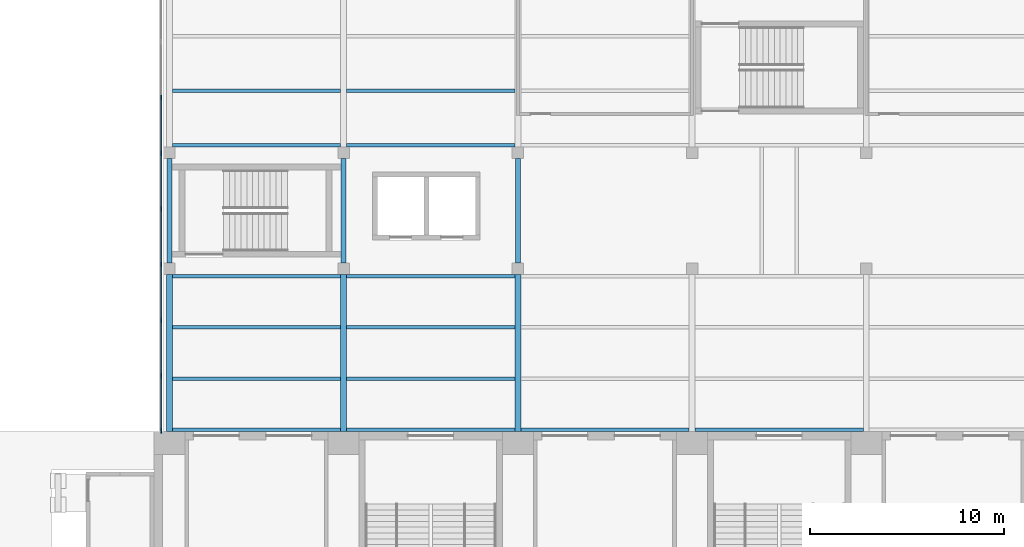
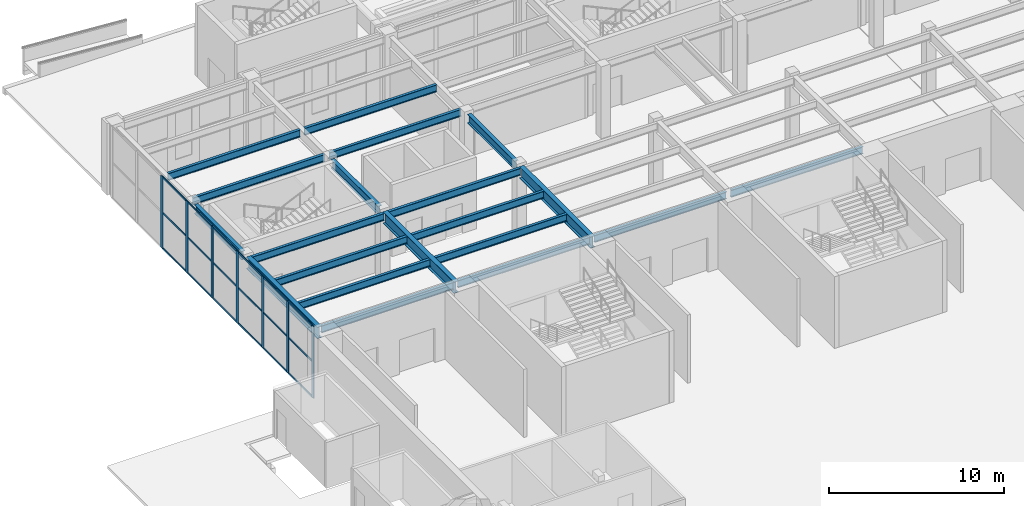
# One storey, part 16 of 77: 25 members, 20 beams, 1 element without a shape of its own.
"""IFC4 building model written with IfcOpenShell, lengths in metres."""

from ifc_helpers import new_model, si_unit, direction, frame, origin, origin_2d, place, context, subcontext, project, spatial, rectangle, i_section, extrude, material, material_profile, profile_set, type_object, element, aggregate, save


model = new_model("IFC4")

# Units and contexts
model_context = context("Model", 3, precision=1e-05, world=origin(), true_north=direction((0.0, 1.0)))
body_context = subcontext(model_context, "Body", "Model", "MODEL_VIEW")
ifc_project = project(units=[si_unit("LENGTHUNIT", "METRE"), si_unit("AREAUNIT", "SQUARE_METRE"), si_unit("VOLUMEUNIT", "CUBIC_METRE"), si_unit("PLANEANGLEUNIT", "RADIAN"), si_unit("MASSUNIT", "GRAM", prefix="KILO")], contexts=[model_context])

# Site, building, storey
site_placement = place(None, origin())
site = spatial("IfcSite", under=ifc_project, at=site_placement, CompositionType="ELEMENT")
building_placement = place(site_placement, origin())
building = spatial("IfcBuilding", under=site, at=building_placement, Name="Aravalli Gate Trade Fair Centre", CompositionType="ELEMENT")
storey_placement = place(building_placement, origin())
storey = spatial("IfcBuildingStorey", under=building, at=storey_placement, Name="L00", CompositionType="ELEMENT", Elevation=0.0)

# Curtain wall, members
ifc_material_1 = material(Name="Aluminium and glass", Category="aluminium")
curtain_wall_type = type_object("IfcCurtainWallType", Name="Curtain wall 3000 module, tall", PredefinedType="NOTDEFINED", material=ifc_material_1)
curtain_wall_placement = place(storey_placement, origin())
curtain_wall = element("IfcCurtainWall", 1, at=curtain_wall_placement, inside=storey, type_object=curtain_wall_type, Name="Curtain wall west end L00", PredefinedType="NOTDEFINED")
ifc_material_2 = material(Name="Aluminium", Category="aluminium")
ifc_material_profile_1 = material_profile(ifc_material_2, rectangle(XDim=0.06005859375, YDim=0.25, at=origin_2d()), Name="Concourse curtain wall mullion 60 x 250")
ifc_profile_set_1 = profile_set([ifc_material_profile_1], Name="Aluminium")
member_type_1 = type_object("IfcMemberType", Name="Concourse curtain wall mullion 60 x 250", PredefinedType="MULLION", material=ifc_profile_set_1)
member_1_placement = place(storey_placement, frame((5.574951171875, 109.6298828125, 0.0), z_axis=(0.0, 0.0, 1.0), x_axis=(-1.0, 0.0, 0.0)))
member_1 = element("IfcMember", 2, at=member_1_placement, type_object=member_type_1, Name="CW3 mullion 1", PredefinedType="MULLION", context=body_context, shape_type="SweptSolid", body=[
    extrude(rectangle(XDim=0.06005859375, YDim=0.25, at=origin_2d()), origin(), (0.0, 0.0, 1.0), 5.0),
])
member_2_placement = place(storey_placement, frame((5.574951171875, 112.47509765625, 0.0), z_axis=(0.0, 0.0, 1.0), x_axis=(-1.0, 0.0, 0.0)))
member_2 = element("IfcMember", 3, at=member_2_placement, type_object=member_type_1, Name="CW3 mullion 2", PredefinedType="MULLION", context=body_context, shape_type="SweptSolid", body=[
    extrude(rectangle(XDim=0.06005859375, YDim=0.25, at=origin_2d()), origin(), (0.0, 0.0, 1.0), 5.0),
])
member_3_placement = place(storey_placement, frame((5.574951171875, 115.35009765625, 0.0), z_axis=(0.0, 0.0, 1.0), x_axis=(-1.0, 0.0, 0.0)))
member_3 = element("IfcMember", 4, at=member_3_placement, type_object=member_type_1, Name="CW3 mullion 3", PredefinedType="MULLION", context=body_context, shape_type="SweptSolid", body=[
    extrude(rectangle(XDim=0.06005859375, YDim=0.25, at=origin_2d()), origin(), (0.0, 0.0, 1.0), 5.0),
])
member_4_placement = place(storey_placement, frame((5.574951171875, 118.22509765625, 0.0), z_axis=(0.0, 0.0, 1.0), x_axis=(-1.0, 0.0, 0.0)))
member_4 = element("IfcMember", 5, at=member_4_placement, type_object=member_type_1, Name="CW3 mullion 4", PredefinedType="MULLION", context=body_context, shape_type="SweptSolid", body=[
    extrude(rectangle(XDim=0.06005859375, YDim=0.25, at=origin_2d()), origin(), (0.0, 0.0, 1.0), 5.0),
])
member_5_placement = place(storey_placement, frame((5.574951171875, 121.10009765625, 0.0), z_axis=(0.0, 0.0, 1.0), x_axis=(-1.0, 0.0, 0.0)))
member_5 = element("IfcMember", 6, at=member_5_placement, type_object=member_type_1, Name="CW3 mullion 5", PredefinedType="MULLION", context=body_context, shape_type="SweptSolid", body=[
    extrude(rectangle(XDim=0.06005859375, YDim=0.25, at=origin_2d()), origin(), (0.0, 0.0, 1.0), 5.0),
])
member_6_placement = place(storey_placement, frame((5.574951171875, 123.97509765625, 0.0), z_axis=(0.0, 0.0, 1.0), x_axis=(-1.0, 0.0, 0.0)))
member_6 = element("IfcMember", 7, at=member_6_placement, type_object=member_type_1, Name="CW3 mullion 6", PredefinedType="MULLION", context=body_context, shape_type="SweptSolid", body=[
    extrude(rectangle(XDim=0.06005859375, YDim=0.25, at=origin_2d()), origin(), (0.0, 0.0, 1.0), 5.0),
])
member_7_placement = place(storey_placement, frame((5.574951171875, 126.85009765625, 0.0), z_axis=(0.0, 0.0, 1.0), x_axis=(-1.0, 0.0, 0.0)))
member_7 = element("IfcMember", 8, at=member_7_placement, type_object=member_type_1, Name="CW3 mullion 7", PredefinedType="MULLION", context=body_context, shape_type="SweptSolid", body=[
    extrude(rectangle(XDim=0.06005859375, YDim=0.25, at=origin_2d()), origin(), (0.0, 0.0, 1.0), 5.0),
])
ifc_material_profile_2 = material_profile(ifc_material_2, rectangle(XDim=0.06005859375, YDim=0.1201171875, at=origin_2d()), Name="Concourse curtain wall transom 60 x 120")
ifc_profile_set_2 = profile_set([ifc_material_profile_2], Name="Aluminium")
member_type_2 = type_object("IfcMemberType", Name="Concourse curtain wall transom 60 x 120", PredefinedType="USERDEFINED", material=ifc_profile_set_2)
member_8_placement = place(storey_placement, frame((5.574951171875, 109.659912109375, 0.030029296875), z_axis=(0.0, 1.0, 0.0), x_axis=(-1.0, 0.0, 0.0)))
member_8 = element("IfcMember", 9, at=member_8_placement, type_object=member_type_2, Name="CW3 transom 1.1", ObjectType="TRANSOM", PredefinedType="USERDEFINED", context=body_context, shape_type="SweptSolid", body=[
    extrude(rectangle(XDim=0.06005859375, YDim=0.1201171875, at=origin_2d()), origin(), (0.0, 0.0, 1.0), 2.78515625),
])
member_9_placement = place(storey_placement, frame((5.574951171875, 109.659912109375, 2.5), z_axis=(0.0, 1.0, 0.0), x_axis=(-1.0, 0.0, 0.0)))
member_9 = element("IfcMember", 10, at=member_9_placement, type_object=member_type_2, Name="CW3 transom 1.2", ObjectType="TRANSOM", PredefinedType="USERDEFINED", context=body_context, shape_type="SweptSolid", body=[
    extrude(rectangle(XDim=0.06005859375, YDim=0.1201171875, at=origin_2d()), origin(), (0.0, 0.0, 1.0), 2.78515625),
])
member_10_placement = place(storey_placement, frame((5.574951171875, 109.659912109375, 4.969970703125), z_axis=(0.0, 1.0, 0.0), x_axis=(-1.0, 0.0, 0.0)))
member_10 = element("IfcMember", 11, at=member_10_placement, type_object=member_type_2, Name="CW3 transom 1.3", ObjectType="TRANSOM", PredefinedType="USERDEFINED", context=body_context, shape_type="SweptSolid", body=[
    extrude(rectangle(XDim=0.06005859375, YDim=0.1201171875, at=origin_2d()), origin(), (0.0, 0.0, 1.0), 2.78515625),
])
member_11_placement = place(storey_placement, frame((5.574951171875, 112.5048828125, 0.030029296875), z_axis=(0.0, 1.0, 0.0), x_axis=(-1.0, 0.0, 0.0)))
member_11 = element("IfcMember", 12, at=member_11_placement, type_object=member_type_2, Name="CW3 transom 2.1", ObjectType="TRANSOM", PredefinedType="USERDEFINED", context=body_context, shape_type="SweptSolid", body=[
    extrude(rectangle(XDim=0.06005859375, YDim=0.1201171875, at=origin_2d()), origin(), (0.0, 0.0, 1.0), 2.815185546875),
])
member_12_placement = place(storey_placement, frame((5.574951171875, 112.5048828125, 2.5), z_axis=(0.0, 1.0, 0.0), x_axis=(-1.0, 0.0, 0.0)))
member_12 = element("IfcMember", 13, at=member_12_placement, type_object=member_type_2, Name="CW3 transom 2.2", ObjectType="TRANSOM", PredefinedType="USERDEFINED", context=body_context, shape_type="SweptSolid", body=[
    extrude(rectangle(XDim=0.06005859375, YDim=0.1201171875, at=origin_2d()), origin(), (0.0, 0.0, 1.0), 2.815185546875),
])
member_13_placement = place(storey_placement, frame((5.574951171875, 112.5048828125, 4.969970703125), z_axis=(0.0, 1.0, 0.0), x_axis=(-1.0, 0.0, 0.0)))
member_13 = element("IfcMember", 14, at=member_13_placement, type_object=member_type_2, Name="CW3 transom 2.3", ObjectType="TRANSOM", PredefinedType="USERDEFINED", context=body_context, shape_type="SweptSolid", body=[
    extrude(rectangle(XDim=0.06005859375, YDim=0.1201171875, at=origin_2d()), origin(), (0.0, 0.0, 1.0), 2.815185546875),
])
member_14_placement = place(storey_placement, frame((5.574951171875, 115.3798828125, 0.030029296875), z_axis=(0.0, 1.0, 0.0), x_axis=(-1.0, 0.0, 0.0)))
member_14 = element("IfcMember", 15, at=member_14_placement, type_object=member_type_2, Name="CW3 transom 3.1", ObjectType="TRANSOM", PredefinedType="USERDEFINED", context=body_context, shape_type="SweptSolid", body=[
    extrude(rectangle(XDim=0.06005859375, YDim=0.1201171875, at=origin_2d()), origin(), (0.0, 0.0, 1.0), 2.815185546875),
])
member_15_placement = place(storey_placement, frame((5.574951171875, 115.3798828125, 2.5), z_axis=(0.0, 1.0, 0.0), x_axis=(-1.0, 0.0, 0.0)))
member_15 = element("IfcMember", 16, at=member_15_placement, type_object=member_type_2, Name="CW3 transom 3.2", ObjectType="TRANSOM", PredefinedType="USERDEFINED", context=body_context, shape_type="SweptSolid", body=[
    extrude(rectangle(XDim=0.06005859375, YDim=0.1201171875, at=origin_2d()), origin(), (0.0, 0.0, 1.0), 2.815185546875),
])
member_16_placement = place(storey_placement, frame((5.574951171875, 115.3798828125, 4.969970703125), z_axis=(0.0, 1.0, 0.0), x_axis=(-1.0, 0.0, 0.0)))
member_16 = element("IfcMember", 17, at=member_16_placement, type_object=member_type_2, Name="CW3 transom 3.3", ObjectType="TRANSOM", PredefinedType="USERDEFINED", context=body_context, shape_type="SweptSolid", body=[
    extrude(rectangle(XDim=0.06005859375, YDim=0.1201171875, at=origin_2d()), origin(), (0.0, 0.0, 1.0), 2.815185546875),
])
member_17_placement = place(storey_placement, frame((5.574951171875, 118.2548828125, 0.030029296875), z_axis=(0.0, 1.0, 0.0), x_axis=(-1.0, 0.0, 0.0)))
member_17 = element("IfcMember", 18, at=member_17_placement, type_object=member_type_2, Name="CW3 transom 4.1", ObjectType="TRANSOM", PredefinedType="USERDEFINED", context=body_context, shape_type="SweptSolid", body=[
    extrude(rectangle(XDim=0.06005859375, YDim=0.1201171875, at=origin_2d()), origin(), (0.0, 0.0, 1.0), 2.815185546875),
])
member_18_placement = place(storey_placement, frame((5.574951171875, 118.2548828125, 2.5), z_axis=(0.0, 1.0, 0.0), x_axis=(-1.0, 0.0, 0.0)))
member_18 = element("IfcMember", 19, at=member_18_placement, type_object=member_type_2, Name="CW3 transom 4.2", ObjectType="TRANSOM", PredefinedType="USERDEFINED", context=body_context, shape_type="SweptSolid", body=[
    extrude(rectangle(XDim=0.06005859375, YDim=0.1201171875, at=origin_2d()), origin(), (0.0, 0.0, 1.0), 2.815185546875),
])
member_19_placement = place(storey_placement, frame((5.574951171875, 118.2548828125, 4.969970703125), z_axis=(0.0, 1.0, 0.0), x_axis=(-1.0, 0.0, 0.0)))
member_19 = element("IfcMember", 20, at=member_19_placement, type_object=member_type_2, Name="CW3 transom 4.3", ObjectType="TRANSOM", PredefinedType="USERDEFINED", context=body_context, shape_type="SweptSolid", body=[
    extrude(rectangle(XDim=0.06005859375, YDim=0.1201171875, at=origin_2d()), origin(), (0.0, 0.0, 1.0), 2.815185546875),
])
member_20_placement = place(storey_placement, frame((5.574951171875, 121.1298828125, 0.030029296875), z_axis=(0.0, 1.0, 0.0), x_axis=(-1.0, 0.0, 0.0)))
member_20 = element("IfcMember", 21, at=member_20_placement, type_object=member_type_2, Name="CW3 transom 5.1", ObjectType="TRANSOM", PredefinedType="USERDEFINED", context=body_context, shape_type="SweptSolid", body=[
    extrude(rectangle(XDim=0.06005859375, YDim=0.1201171875, at=origin_2d()), origin(), (0.0, 0.0, 1.0), 2.815185546875),
])
member_21_placement = place(storey_placement, frame((5.574951171875, 121.1298828125, 2.5), z_axis=(0.0, 1.0, 0.0), x_axis=(-1.0, 0.0, 0.0)))
member_21 = element("IfcMember", 22, at=member_21_placement, type_object=member_type_2, Name="CW3 transom 5.2", ObjectType="TRANSOM", PredefinedType="USERDEFINED", context=body_context, shape_type="SweptSolid", body=[
    extrude(rectangle(XDim=0.06005859375, YDim=0.1201171875, at=origin_2d()), origin(), (0.0, 0.0, 1.0), 2.815185546875),
])
member_22_placement = place(storey_placement, frame((5.574951171875, 121.1298828125, 4.969970703125), z_axis=(0.0, 1.0, 0.0), x_axis=(-1.0, 0.0, 0.0)))
member_22 = element("IfcMember", 23, at=member_22_placement, type_object=member_type_2, Name="CW3 transom 5.3", ObjectType="TRANSOM", PredefinedType="USERDEFINED", context=body_context, shape_type="SweptSolid", body=[
    extrude(rectangle(XDim=0.06005859375, YDim=0.1201171875, at=origin_2d()), origin(), (0.0, 0.0, 1.0), 2.815185546875),
])
member_23_placement = place(storey_placement, frame((5.574951171875, 124.0048828125, 0.030029296875), z_axis=(0.0, 1.0, 0.0), x_axis=(-1.0, 0.0, 0.0)))
member_23 = element("IfcMember", 24, at=member_23_placement, type_object=member_type_2, Name="CW3 transom 6.1", ObjectType="TRANSOM", PredefinedType="USERDEFINED", context=body_context, shape_type="SweptSolid", body=[
    extrude(rectangle(XDim=0.06005859375, YDim=0.1201171875, at=origin_2d()), origin(), (0.0, 0.0, 1.0), 2.815185546875),
])
member_24_placement = place(storey_placement, frame((5.574951171875, 124.0048828125, 2.5), z_axis=(0.0, 1.0, 0.0), x_axis=(-1.0, 0.0, 0.0)))
member_24 = element("IfcMember", 25, at=member_24_placement, type_object=member_type_2, Name="CW3 transom 6.2", ObjectType="TRANSOM", PredefinedType="USERDEFINED", context=body_context, shape_type="SweptSolid", body=[
    extrude(rectangle(XDim=0.06005859375, YDim=0.1201171875, at=origin_2d()), origin(), (0.0, 0.0, 1.0), 2.815185546875),
])
member_25_placement = place(storey_placement, frame((5.574951171875, 124.0048828125, 4.969970703125), z_axis=(0.0, 1.0, 0.0), x_axis=(-1.0, 0.0, 0.0)))
member_25 = element("IfcMember", 26, at=member_25_placement, type_object=member_type_2, Name="CW3 transom 6.3", ObjectType="TRANSOM", PredefinedType="USERDEFINED", context=body_context, shape_type="SweptSolid", body=[
    extrude(rectangle(XDim=0.06005859375, YDim=0.1201171875, at=origin_2d()), origin(), (0.0, 0.0, 1.0), 2.815185546875),
])
aggregate(curtain_wall, [member_1, member_2, member_3, member_4, member_5, member_6, member_7, member_8, member_9, member_10, member_11, member_12, member_13, member_14, member_15, member_16, member_17, member_18, member_19, member_20, member_21, member_22, member_23, member_24, member_25])

# Beams
ifc_material_3 = material(Name="Steel E350", Category="steel")
ifc_material_profile_3 = material_profile(ifc_material_3, i_section(OverallWidth=0.179931640625, OverallDepth=0.5, WebThickness=0.01025390625, FlangeThickness=0.01708984375, at=origin_2d()), Name="ISMB 500")
ifc_profile_set_3 = profile_set([ifc_material_profile_3], Name="Steel E350")
beam_type_1 = type_object("IfcBeamType", Name="ISMB 500 gallery secondary beam", PredefinedType="JOIST", material=ifc_profile_set_3)
for number, where, z_axis, x_axis, name in (
    (27, (6.14990234375, 109.68994140625, 4.550048828125), (1.0, 0.0, 0.0), (0.0, 1.0, 0.0), "Gallery beam S0 01-02 L01"),
    (28, (6.14990234375, 112.330078125, 4.550048828125), (1.0, 0.0, 0.0), (0.0, 1.0, 0.0), "Gallery beam S1 01-02 L01"),
    (29, (6.14990234375, 114.969970703125, 4.550048828125), (1.0, 0.0, 0.0), (0.0, 1.0, 0.0), "Gallery beam S2 01-02 L01"),
    (30, (6.14990234375, 117.610107421875, 4.550048828125), (1.0, 0.0, 0.0), (0.0, 1.0, 0.0), "Gallery beam S3 01-02 L01"),
    (31, (6.14990234375, 124.389892578125, 4.550048828125), (1.0, 0.0, 0.0), (0.0, 1.0, 0.0), "Gallery beam N4 01-02 L01"),
    (32, (6.14990234375, 127.203369140625, 4.550048828125), (1.0, 0.0, 0.0), (0.0, 1.0, 0.0), "Gallery beam N5 01-02 L01"),
    (33, (15.14990234375, 109.68994140625, 4.550048828125), (1.0, 0.0, 0.0), (0.0, 1.0, 0.0), "Gallery beam S0 02-03 L01"),
    (34, (15.14990234375, 112.330078125, 4.550048828125), (1.0, 0.0, 0.0), (0.0, 1.0, 0.0), "Gallery beam S1 02-03 L01"),
    (35, (15.14990234375, 114.969970703125, 4.550048828125), (1.0, 0.0, 0.0), (0.0, 1.0, 0.0), "Gallery beam S2 02-03 L01"),
    (36, (15.14990234375, 117.610107421875, 4.550048828125), (1.0, 0.0, 0.0), (0.0, 1.0, 0.0), "Gallery beam S3 02-03 L01"),
    (37, (15.14990234375, 124.389892578125, 4.550048828125), (1.0, 0.0, 0.0), (0.0, 1.0, 0.0), "Gallery beam N4 02-03 L01"),
    (38, (15.14990234375, 127.203369140625, 4.550048828125), (1.0, 0.0, 0.0), (0.0, 1.0, 0.0), "Gallery beam N5 02-03 L01"),
    (39, (24.14990234375, 109.68994140625, 4.550048828125), (1.0, 0.0, 0.0), (0.0, 1.0, 0.0), "Gallery beam S0 03-04 L01"),
    (40, (33.14990234375, 109.68994140625, 4.550048828125), (1.0, 0.0, 0.0), (0.0, 1.0, 0.0), "Gallery beam S0 04-05 L01"),
):
    element("IfcBeam", number, at=place(storey_placement, frame(where, z_axis=z_axis, x_axis=x_axis)), inside=storey, type_object=beam_type_1, Name=name, PredefinedType="JOIST", context=body_context, shape_type="SweptSolid", body=[
        extrude(i_section(OverallWidth=0.179931640625, OverallDepth=0.5, WebThickness=0.01025390625, FlangeThickness=0.01708984375, at=origin_2d()), origin(), (0.0, 0.0, 1.0), 8.7001953125),
    ])
ifc_material_profile_4 = material_profile(ifc_material_3, i_section(OverallWidth=0.25, OverallDepth=0.60009765625, WebThickness=0.01123046875, FlangeThickness=0.021240234375, at=origin_2d()), Name="ISWB 600")
ifc_profile_set_4 = profile_set([ifc_material_profile_4], Name="Steel E350")
beam_type_2 = type_object("IfcBeamType", Name="ISWB 600 gallery girder", PredefinedType="BEAM", material=ifc_profile_set_4)
for number, where, z_axis, x_axis, name in (
    (41, (6.0, 118.300048828125, 4.5), (0.0, 1.0, 0.0), (-1.0, 0.0, 0.0), "Gallery girder M01 L01"),
    (42, (15.0, 118.300048828125, 4.5), (0.0, 1.0, 0.0), (-1.0, 0.0, 0.0), "Gallery girder M02 L01"),
    (43, (24.0, 118.300048828125, 4.5), (0.0, 1.0, 0.0), (-1.0, 0.0, 0.0), "Gallery girder M03 L01"),
):
    element("IfcBeam", number, at=place(storey_placement, frame(where, z_axis=z_axis, x_axis=x_axis)), inside=storey, type_object=beam_type_2, Name=name, PredefinedType="BEAM", context=body_context, shape_type="SweptSolid", body=[
        extrude(i_section(OverallWidth=0.25, OverallDepth=0.60009765625, WebThickness=0.01123046875, FlangeThickness=0.021240234375, at=origin_2d()), origin(), (0.0, 0.0, 1.0), 5.39990234375),
    ])
ifc_material_profile_5 = material_profile(ifc_material_3, i_section(OverallWidth=0.300048828125, OverallDepth=0.800048828125, WebThickness=0.011962890625, FlangeThickness=0.02490234375, at=origin_2d()), Name="PG 800x300x12x25")
ifc_profile_set_5 = profile_set([ifc_material_profile_5], Name="Steel E350")
beam_type_3 = type_object("IfcBeamType", Name="PG 800x300x12x25 gallery plate girder", PredefinedType="BEAM", material=ifc_profile_set_5)
for number, where, z_axis, x_axis, name in (
    (44, (6.0, 109.60009765625, 4.39990234375), (0.0, 1.0, 0.0), (-1.0, 0.0, 0.0), "Gallery girder S01 L01"),
    (45, (15.0, 109.60009765625, 4.39990234375), (0.0, 1.0, 0.0), (-1.0, 0.0, 0.0), "Gallery girder S02 L01"),
    (46, (24.0, 109.60009765625, 4.39990234375), (0.0, 1.0, 0.0), (-1.0, 0.0, 0.0), "Gallery girder S03 L01"),
):
    element("IfcBeam", number, at=place(storey_placement, frame(where, z_axis=z_axis, x_axis=x_axis)), inside=storey, type_object=beam_type_3, Name=name, PredefinedType="BEAM", context=body_context, shape_type="SweptSolid", body=[
        extrude(i_section(OverallWidth=0.300048828125, OverallDepth=0.800048828125, WebThickness=0.011962890625, FlangeThickness=0.02490234375, at=origin_2d()), origin(), (0.0, 0.0, 1.0), 8.099853515625),
    ])

save(model, "model.ifc")
